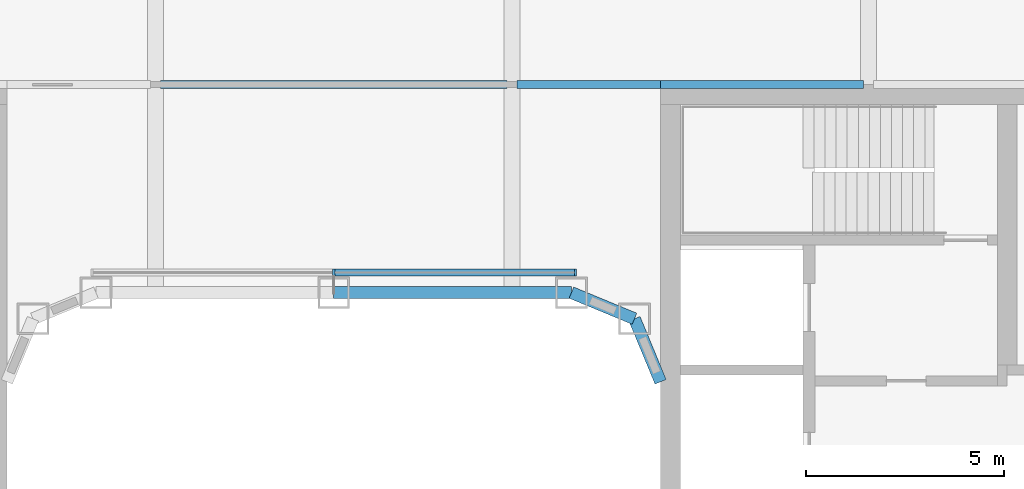
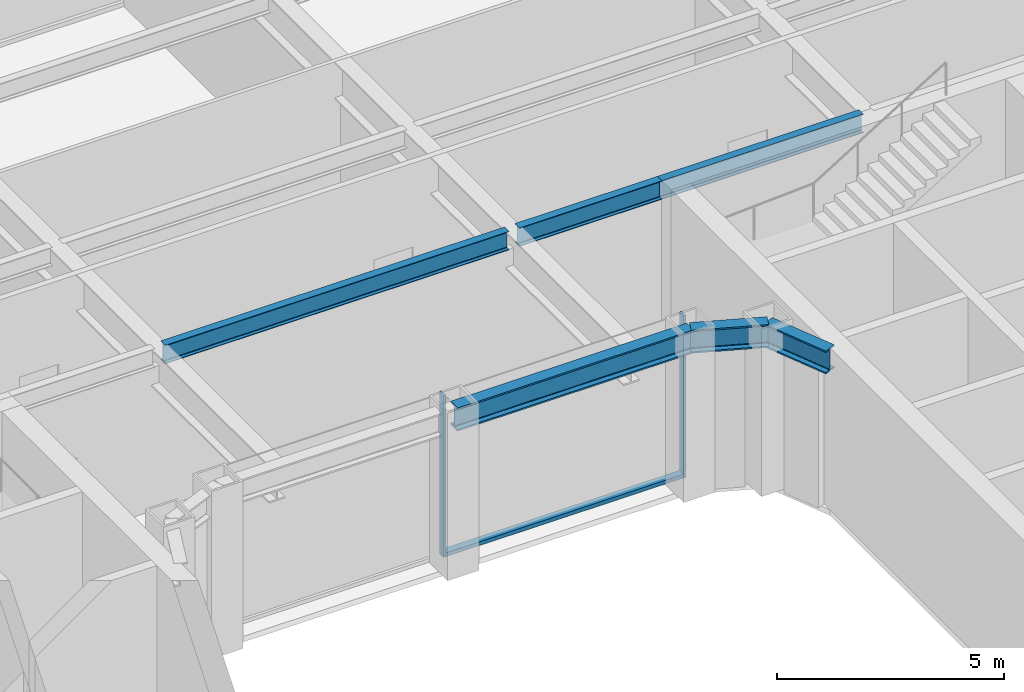
# One storey, part 8 of 24: 6 beams, 3 members, 1 element without a shape of its own.
"""IFC4 building model written with IfcOpenShell, lengths in metres."""

from ifc_helpers import new_model, si_unit, direction, frame, origin, origin_2d, place, context, subcontext, project, spatial, rectangle, i_section, extrude, material, layer, layer_set, material_profile, profile_set, type_object, element, aggregate, save


model = new_model("IFC4")

# Units and contexts
model_context = context("Model", 3, precision=1e-05, world=origin(), true_north=direction((0.0, 1.0)))
body_context = subcontext(model_context, "Body", "Model", "MODEL_VIEW")
ifc_project = project(units=[si_unit("LENGTHUNIT", "METRE"), si_unit("AREAUNIT", "SQUARE_METRE"), si_unit("VOLUMEUNIT", "CUBIC_METRE"), si_unit("PLANEANGLEUNIT", "RADIAN"), si_unit("MASSUNIT", "GRAM", prefix="KILO")], contexts=[model_context])

# Site, building, storey
site_placement = place(None, origin())
site = spatial("IfcSite", under=ifc_project, at=site_placement, CompositionType="ELEMENT")
building_placement = place(site_placement, origin())
building = spatial("IfcBuilding", under=site, at=building_placement, Name="Siwar Civic Tower", CompositionType="ELEMENT")
storey_placement = place(building_placement, frame((0.0, 0.0, 40.199951171875)))
storey = spatial("IfcBuildingStorey", under=building, at=storey_placement, Name="L08", CompositionType="ELEMENT", Elevation=40.199951171875)

# Curtain wall, members
ifc_material_1 = material(Name="Aluminium and glass", Category="aluminium")
ifc_layer = layer(ifc_material_1, 0.179931640625)
ifc_layer_set = layer_set([ifc_layer], Name="Aluminium and glass")
curtain_wall_type = type_object("IfcCurtainWallType", Name="ENV-CW-W", PredefinedType="NOTDEFINED", material=ifc_layer_set)
curtain_wall_placement = place(storey_placement, origin())
curtain_wall = element("IfcCurtainWall", 1, at=curtain_wall_placement, inside=storey, type_object=curtain_wall_type, Name="Curtain wall W WN", PredefinedType="NOTDEFINED")
ifc_material_2 = material(Name="Aluminium 6063-T6", Category="aluminium")
ifc_material_profile_1 = material_profile(ifc_material_2, rectangle(XDim=0.179931640625, YDim=0.06005859375, at=origin_2d()), Name="AL 180x60")
ifc_profile_set_1 = profile_set([ifc_material_profile_1], Name="Aluminium 6063-T6")
member_type_1 = type_object("IfcMemberType", Name="ENV-MULLION-W", PredefinedType="MULLION", material=ifc_profile_set_1)
member_1_placement = place(storey_placement, frame((6.1015625, 8.760009765625, 0.0), z_axis=(0.0, 0.0, 1.0), x_axis=(0.0, -1.0, 0.0)))
member_1 = element("IfcMember", 2, at=member_1_placement, type_object=member_type_1, Name="Mullion W WN 1", PredefinedType="MULLION", context=body_context, shape_type="SweptSolid", body=[
    extrude(rectangle(XDim=0.179931640625, YDim=0.06005859375, at=origin_2d()), origin(), (0.0, 0.0, 1.0), 4.35009765625),
])
member_2_placement = place(storey_placement, frame((0.0, 8.760009765625, 0.0), z_axis=(0.0, 0.0, 1.0), x_axis=(0.0, -1.0, 0.0)))
member_2 = element("IfcMember", 3, at=member_2_placement, type_object=member_type_1, Name="Mullion W WN 2", PredefinedType="MULLION", context=body_context, shape_type="SweptSolid", body=[
    extrude(rectangle(XDim=0.179931640625, YDim=0.06005859375, at=origin_2d()), origin(), (0.0, 0.0, 1.0), 4.35009765625),
])
ifc_material_3 = material(Name="Aluminium 6063-T6", Category="aluminium")
ifc_material_profile_2 = material_profile(ifc_material_3, rectangle(XDim=0.179931640625, YDim=0.10009765625, at=origin_2d()), Name="AL 180x100")
ifc_profile_set_2 = profile_set([ifc_material_profile_2], Name="Aluminium 6063-T6")
member_type_2 = type_object("IfcMemberType", Name="ENV-TRANSOM-W", PredefinedType="USERDEFINED", material=ifc_profile_set_2)
member_3_placement = place(storey_placement, frame((6.071533203125, 8.760009765625, 0.050048828125), z_axis=(-1.0, 0.0, 0.0), x_axis=(0.0, -1.0, 0.0)))
member_3 = element("IfcMember", 4, at=member_3_placement, type_object=member_type_2, Name="Transom W WN 1", ObjectType="TRANSOM", PredefinedType="USERDEFINED", context=body_context, shape_type="SweptSolid", body=[
    extrude(rectangle(XDim=0.179931640625, YDim=0.10009765625, at=origin_2d()), origin(), (0.0, 0.0, 1.0), 6.04150390625),
])
aggregate(curtain_wall, [member_1, member_2, member_3])

# Beams
ifc_material_4 = material(Name="Steel S355", Category="steel")
ifc_material_profile_3 = material_profile(ifc_material_4, i_section(OverallWidth=0.199951171875, OverallDepth=0.5, WebThickness=0.01025390625, FlangeThickness=0.01611328125, FilletRadius=0.02099609375, at=origin_2d()), Name="IPE500")
ifc_profile_set_3 = profile_set([ifc_material_profile_3], Name="Steel S355")
beam_type_1 = type_object("IfcBeamType", Name="STR-FB-IPE500", PredefinedType="JOIST", material=ifc_profile_set_3)
beam_1_placement = place(storey_placement, frame((-4.3701171875, 13.5, 4.10009765625), z_axis=(1.0, 0.0, 0.0), x_axis=(0.0, 1.0, 0.0)))
element("IfcBeam", 5, at=beam_1_placement, inside=storey, type_object=beam_type_1, Name="L08/bm/F041", PredefinedType="JOIST", context=body_context, shape_type="SweptSolid", body=[
    extrude(i_section(OverallWidth=0.199951171875, OverallDepth=0.5, WebThickness=0.01025390625, FlangeThickness=0.01611328125, FilletRadius=0.02099609375, at=origin_2d()), origin(), (0.0, 0.0, 1.0), 8.740234375),
])
beam_2_placement = place(storey_placement, frame((4.6298828125, 13.5, 4.10009765625), z_axis=(1.0, 0.0, 0.0), x_axis=(0.0, 1.0, 0.0)))
element("IfcBeam", 6, at=beam_2_placement, inside=storey, type_object=beam_type_1, Name="L08/bm/F042", PredefinedType="JOIST", context=body_context, shape_type="SweptSolid", body=[
    extrude(i_section(OverallWidth=0.199951171875, OverallDepth=0.5, WebThickness=0.01025390625, FlangeThickness=0.01611328125, FilletRadius=0.02099609375, at=origin_2d()), origin(), (0.0, 0.0, 1.0), 3.6201171875),
])
beam_3_placement = place(storey_placement, frame((8.25, 13.5, 4.10009765625), z_axis=(1.0, 0.0, 0.0), x_axis=(0.0, 1.0, 0.0)))
element("IfcBeam", 7, at=beam_3_placement, inside=storey, type_object=beam_type_1, Name="L08/bm/F043", PredefinedType="JOIST", context=body_context, shape_type="SweptSolid", body=[
    extrude(i_section(OverallWidth=0.199951171875, OverallDepth=0.5, WebThickness=0.01025390625, FlangeThickness=0.01611328125, FilletRadius=0.02099609375, at=origin_2d()), origin(), (0.0, 0.0, 1.0), 5.1201171875),
])
ifc_material_5 = material(Name="Steel S355", Category="steel")
ifc_material_profile_4 = material_profile(ifc_material_5, i_section(OverallWidth=0.304931640625, OverallDepth=0.6201171875, WebThickness=0.02099609375, FlangeThickness=0.0400390625, FilletRadius=0.027099609375, at=origin_2d()), Name="HEM600")
ifc_profile_set_4 = profile_set([ifc_material_profile_4], Name="Steel S355")
beam_type_2 = type_object("IfcBeamType", Name="STR-RB-HEM600", PredefinedType="BEAM", material=ifc_profile_set_4)
beam_4_placement = place(storey_placement, frame((0.0, 8.25, 4.0400390625), z_axis=(1.0, 0.0, 0.0), x_axis=(0.0, 1.0, 0.0)))
element("IfcBeam", 8, at=beam_4_placement, inside=storey, type_object=beam_type_2, Name="L08/bm/RN2", PredefinedType="BEAM", context=body_context, shape_type="SweptSolid", body=[
    extrude(i_section(OverallWidth=0.304931640625, OverallDepth=0.6201171875, WebThickness=0.02099609375, FlangeThickness=0.0400390625, FilletRadius=0.027099609375, at=origin_2d()), origin(), (0.0, 0.0, 1.0), 6.0),
])
for number, where, z_axis, x_axis, name in (
    (9, (6.0, 8.25, 4.0400390625), (0.923901072997, -0.382631424892, 0.0), (0.382631424892, 0.923901072997, 0.0), "L08/bm/RN3"),
    (10, (7.591064453125, 7.591064453125, 4.0400390625), (0.382631424892, -0.923901072997, 0.0), (0.923901072997, 0.382631424892, 0.0), "L08/bm/RNEE"),
):
    element("IfcBeam", number, at=place(storey_placement, frame(where, z_axis=z_axis, x_axis=x_axis)), inside=storey, type_object=beam_type_2, Name=name, PredefinedType="BEAM", context=body_context, shape_type="SweptSolid", body=[
        extrude(i_section(OverallWidth=0.304931640625, OverallDepth=0.6201171875, WebThickness=0.02099609375, FlangeThickness=0.0400390625, FilletRadius=0.027099609375, at=origin_2d()), origin(), (0.0, 0.0, 1.0), 1.72216796875),
    ])

save(model, "model.ifc")
